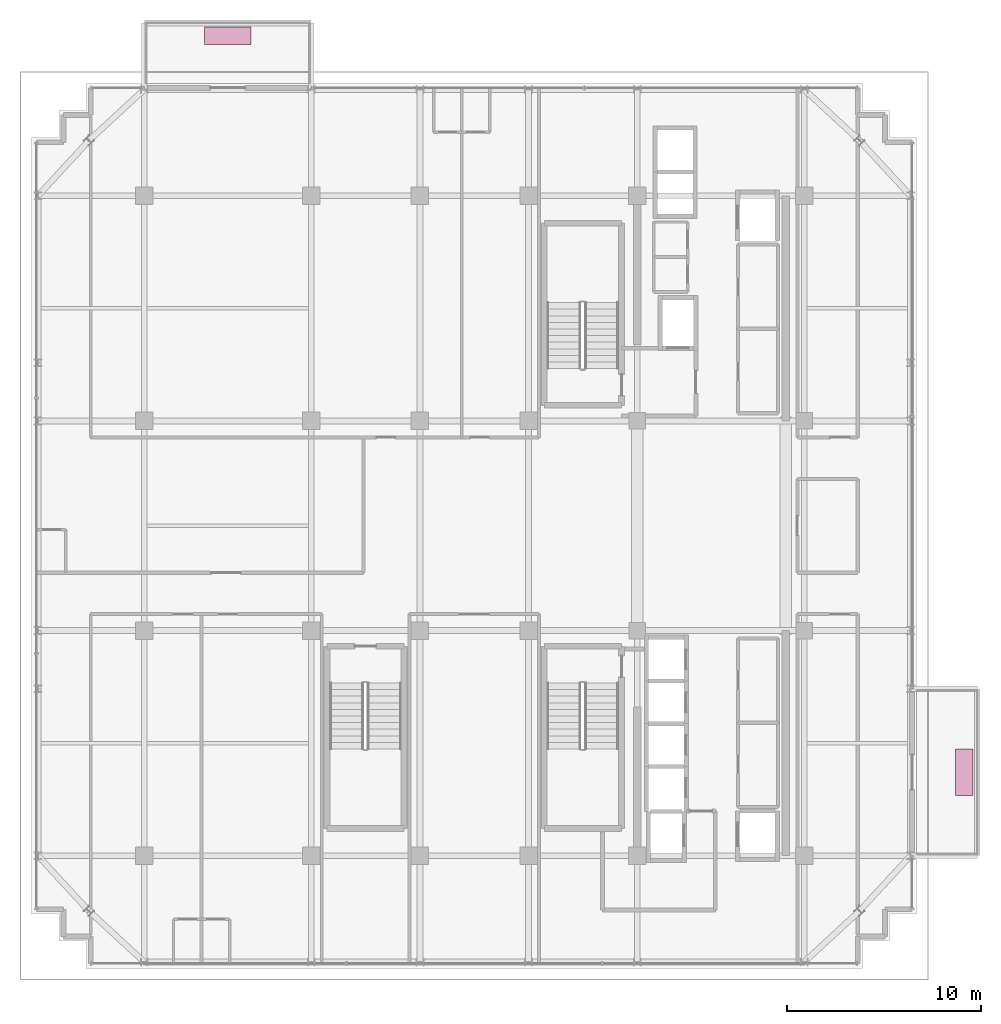
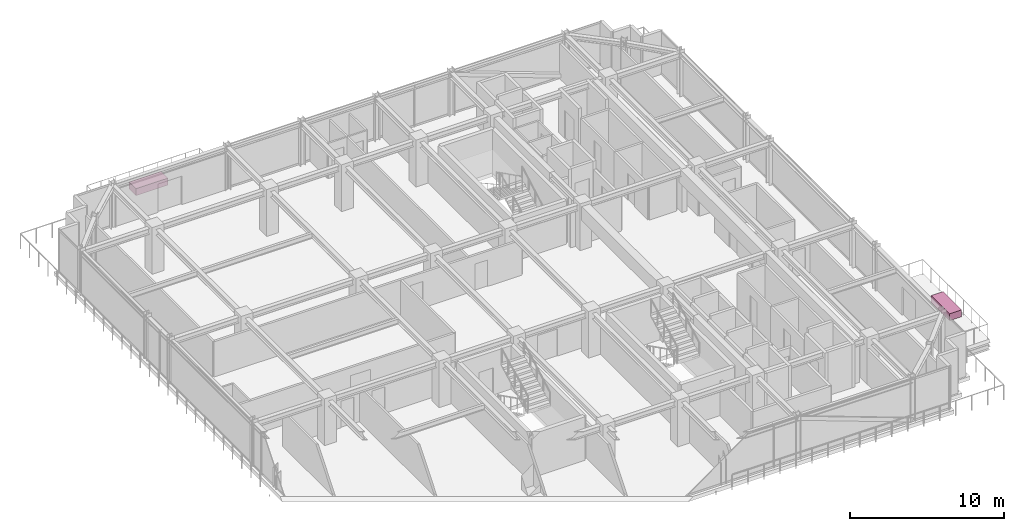
# One storey, part 32 of 32: 2 furnishings.
"""IFC4 building model written with IfcOpenShell, lengths in metres."""

from ifc_helpers import new_model, si_unit, direction, frame, origin, origin_2d, place, context, subcontext, project, spatial, rectangle, extrude, source, transform, mapped, material, type_object, element, save


model = new_model("IFC4")

# Units and contexts
model_context = context("Model", 3, precision=1e-05, world=origin(), true_north=direction((0.0, 1.0)))
body_context = subcontext(model_context, "Body", "Model", "MODEL_VIEW")
ifc_project = project(units=[si_unit("LENGTHUNIT", "METRE"), si_unit("AREAUNIT", "SQUARE_METRE"), si_unit("VOLUMEUNIT", "CUBIC_METRE"), si_unit("PLANEANGLEUNIT", "RADIAN"), si_unit("MASSUNIT", "GRAM", prefix="KILO")], contexts=[model_context])

# Site, building, storey
site_placement = place(None, origin())
site = spatial("IfcSite", under=ifc_project, at=site_placement, CompositionType="ELEMENT")
building_placement = place(site_placement, origin())
building = spatial("IfcBuilding", under=site, at=building_placement, Name="Nahalor Promenade Grand Hotel", CompositionType="ELEMENT")
storey_placement = place(building_placement, frame((0.0, 0.0, 266.300048828125)))
storey = spatial("IfcBuildingStorey", under=building, at=storey_placement, Name="L68", CompositionType="ELEMENT", Elevation=266.300048828125)

# Furnishings
ifc_material = material(Name="Vegetated Volcanic-Lapilli Tree Planter", Category="earth")
furnishing_element_type = type_object("IfcFurnishingElementType", Name="Planter-VerticalForest-Box", material=ifc_material)
shared_shape = source(origin(), body_context, "Body", "SweptSolid", [
    extrude(rectangle(XDim=2.39990234375, YDim=0.89990234375, at=origin_2d()), origin(), (0.0, 0.0, 1.0), 0.550048828125),
])
for number, where, z_axis, x_axis, name in (
    (1, (-12.699951171875, 25.239990234375, 0.0), (0.0, 0.0, 1.0), (1.0, 0.0, 0.0), "L68 Balcony Structural Tree Planter 1"),
    (2, (25.25, -12.699951171875, 0.0), (0.0, 0.0, 1.0), (0.0, 1.0, 0.0), "L68 Balcony Structural Tree Planter 2"),
):
    element("IfcFurnishingElement", number, at=place(storey_placement, frame(where, z_axis=z_axis, x_axis=x_axis)), inside=storey, type_object=furnishing_element_type, Name=name, ObjectType="PLANTER", context=body_context, shape_type="MappedRepresentation", body=[
        mapped(shared_shape, transform((0.0, 0.0, 0.0), scale=1.0)),
    ])

save(model, "model.ifc")
